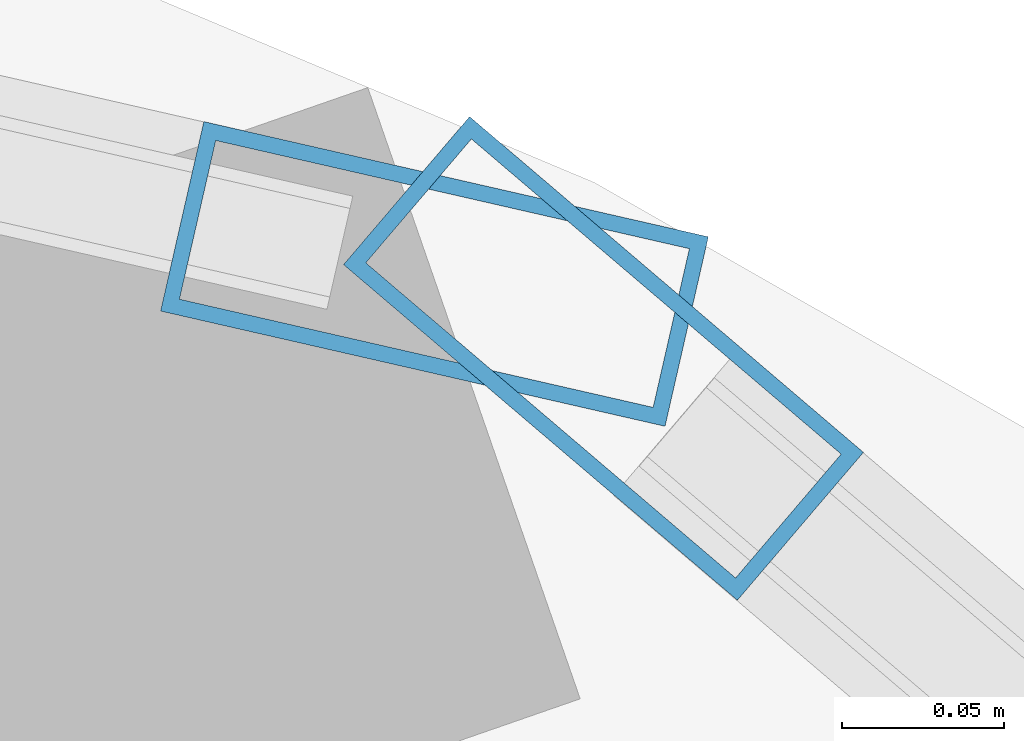
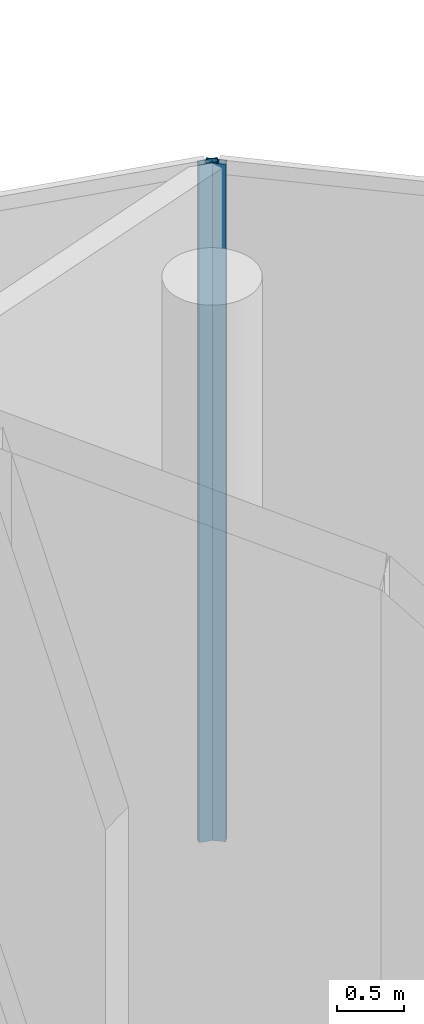
# One storey, part 13 of 26: 2 members, 2 elements without a shape of their own.
"""IFC4 building model written with IfcOpenShell, lengths in metres."""

from ifc_helpers import new_model, si_unit, direction, frame, origin, origin_2d, place, context, subcontext, project, spatial, hollow_rectangle, extrude, material, layer, layer_set, material_profile, profile_set, type_object, element, aggregate, save


model = new_model("IFC4")

# Units and contexts
model_context = context("Model", 3, precision=1e-05, world=origin(), true_north=direction((0.0, 1.0)))
body_context = subcontext(model_context, "Body", "Model", "MODEL_VIEW")
ifc_project = project(units=[si_unit("LENGTHUNIT", "METRE"), si_unit("AREAUNIT", "SQUARE_METRE"), si_unit("VOLUMEUNIT", "CUBIC_METRE"), si_unit("PLANEANGLEUNIT", "RADIAN"), si_unit("MASSUNIT", "GRAM", prefix="KILO")], contexts=[model_context])

# Site, building, storey
site_placement = place(None, origin())
site = spatial("IfcSite", under=ifc_project, at=site_placement, CompositionType="ELEMENT")
building_placement = place(site_placement, origin())
building = spatial("IfcBuilding", under=site, at=building_placement, Name="Nuhasar Tower", CompositionType="ELEMENT")
storey_placement = place(building_placement, frame((0.0, 0.0, 306.800048828125)))
storey = spatial("IfcBuildingStorey", under=building, at=storey_placement, Name="L76", CompositionType="ELEMENT", Elevation=306.800048828125)

# Curtain wall, member
ifc_material = material(Name="Aluminium 6063-T6", Category="aluminium")
ifc_layer = layer(ifc_material, 0.239990234375)
ifc_layer_set = layer_set([ifc_layer], Name="Aluminium 6063-T6")
curtain_wall_type = type_object("IfcCurtainWallType", Name="CW-SKY-LBY", PredefinedType="NOTDEFINED", material=ifc_layer_set)
curtain_wall_1_placement = place(storey_placement, origin())
curtain_wall_1 = element("IfcCurtainWall", 1, at=curtain_wall_1_placement, inside=storey, type_object=curtain_wall_type, Name="L76 Unitised Curtain Wall 02", PredefinedType="NOTDEFINED")
ifc_material_profile = material_profile(ifc_material, hollow_rectangle(XDim=0.06005859375, YDim=0.159912109375, WallThickness=0.0048828125, at=origin_2d()), Name="CWM-6")
ifc_profile_set = profile_set([ifc_material_profile], Name="Aluminium 6063-T6")
member_type = type_object("IfcMemberType", Name="CW-MUL-S6", PredefinedType="MULLION", material=ifc_profile_set)
member_1_placement = place(storey_placement, frame((48.5029296875, 40.775634765625, 0.0), z_axis=(0.0, 0.0, 1.0), x_axis=(-0.648666497118, -0.761072779382, 0.0)))
member_1 = element("IfcMember", 2, at=member_1_placement, type_object=member_type, Name="CW-SL mullion 2", PredefinedType="MULLION", context=body_context, shape_type="SweptSolid", body=[
    extrude(hollow_rectangle(XDim=0.06005859375, YDim=0.159912109375, WallThickness=0.0048828125, at=origin_2d()), origin(), (0.0, 0.0, 1.0), 6.179931640625),
])
aggregate(curtain_wall_1, [member_1])

curtain_wall_2_placement = place(storey_placement, origin())
curtain_wall_2 = element("IfcCurtainWall", 3, at=curtain_wall_2_placement, inside=storey, type_object=curtain_wall_type, Name="L76 Unitised Curtain Wall 03", PredefinedType="NOTDEFINED")
member_2_placement = place(storey_placement, frame((48.45068359375, 40.8017578125, 0.0), z_axis=(0.0, 0.0, 1.0), x_axis=(-0.222643296147, -0.974899975731, 0.0)))
member_2 = element("IfcMember", 4, at=member_2_placement, type_object=member_type, Name="CW-SL mullion 1", PredefinedType="MULLION", context=body_context, shape_type="SweptSolid", body=[
    extrude(hollow_rectangle(XDim=0.06005859375, YDim=0.159912109375, WallThickness=0.0048828125, at=origin_2d()), origin(), (0.0, 0.0, 1.0), 6.179931640625),
])
aggregate(curtain_wall_2, [member_2])

save(model, "model.ifc")
